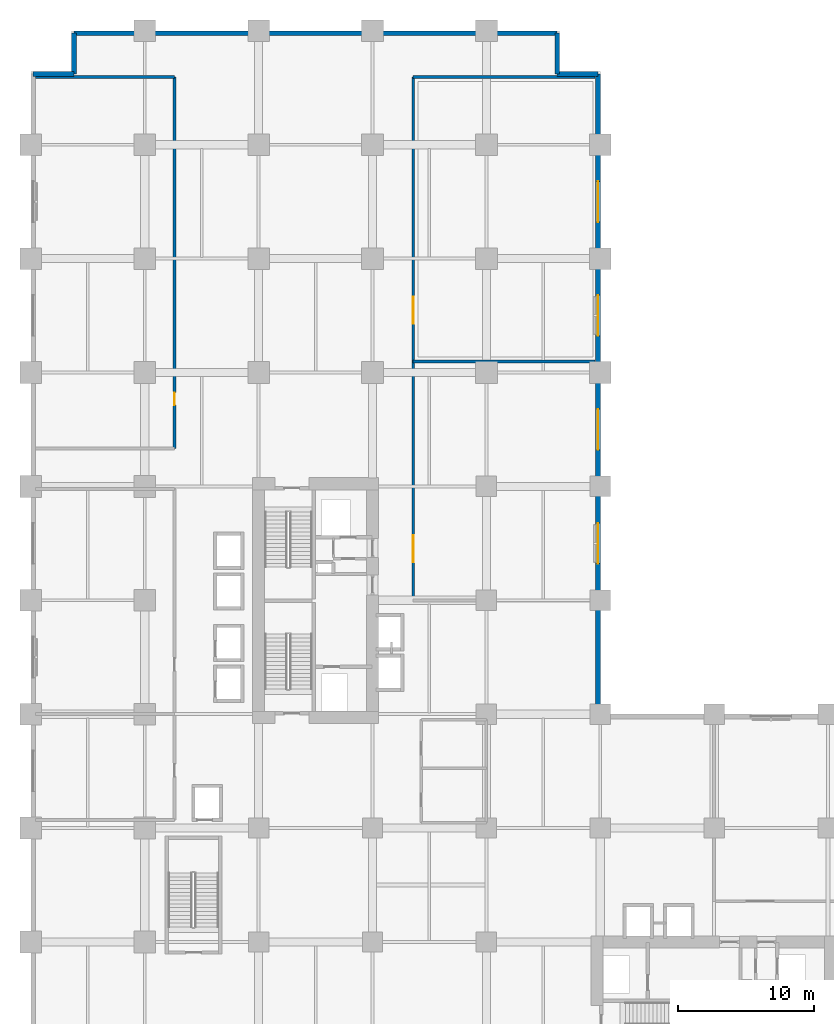
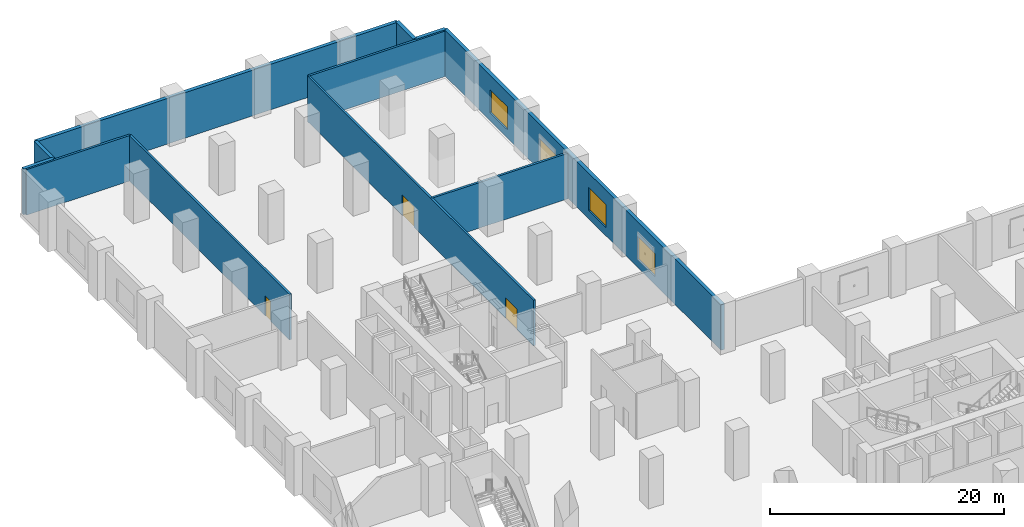
# One storey, part 14 of 23: 11 walls, 4 windows, 3 doors, 7 openings.
"""IFC4 building model written with IfcOpenShell, lengths in metres."""

from ifc_helpers import new_model, si_unit, direction, frame, frame_2d, origin, place, context, subcontext, project, spatial, rectangle, extrude, material, layer, layer_set, type_object, element, fill, save


model = new_model("IFC4")

# Units and contexts
model_context = context("Model", 3, precision=1e-05, world=origin(), true_north=direction((0.0, 1.0)))
body_context = subcontext(model_context, "Body", "Model", "MODEL_VIEW")
ifc_project = project(units=[si_unit("LENGTHUNIT", "METRE"), si_unit("AREAUNIT", "SQUARE_METRE"), si_unit("VOLUMEUNIT", "CUBIC_METRE"), si_unit("PLANEANGLEUNIT", "RADIAN"), si_unit("MASSUNIT", "GRAM", prefix="KILO")], contexts=[model_context])

# Site, building, storey
site_placement = place(None, origin())
site = spatial("IfcSite", under=ifc_project, at=site_placement, CompositionType="ELEMENT")
building_placement = place(site_placement, origin())
building = spatial("IfcBuilding", under=site, at=building_placement, Name="Koriwani Terraces Tower", CompositionType="ELEMENT")
storey_placement = place(building_placement, frame((0.0, 0.0, 20.800048828125)))
storey = spatial("IfcBuildingStorey", under=building, at=storey_placement, Name="L04", CompositionType="ELEMENT", Elevation=20.800048828125)

# Wall, opening, door
ifc_material_1 = material(Name="Autoclaved Cellular Concrete Blockwork", Category="masonry")
ifc_layer_1 = layer(ifc_material_1, 0.199951171875, Name="Autoclaved Cellular Concrete Blockwork")
ifc_layer_set_1 = layer_set([ifc_layer_1], Name="Autoclaved Cellular Concrete Blockwork")
wall_type_1 = type_object("IfcWallType", Name="WALL_CORRIDOR_200", PredefinedType="PARTITIONING", material=ifc_layer_set_1)
wall_1_placement = place(storey_placement, frame((10.60009765625, 61.60009765625, 0.0), z_axis=(0.0, 0.0, 1.0), x_axis=(0.0, 1.0, 0.0)))
wall_1 = element("IfcWall", 1, at=wall_1_placement, inside=storey, type_object=wall_type_1, Name="L04 Interior Wall WL04-W-2", PredefinedType="PARTITIONING", context=body_context, shape_type="SweptSolid", body=[
    extrude(rectangle(XDim=27.39990234375, YDim=0.199951171875, at=frame_2d((13.699951171875, 0.0))), origin(), (0.0, 0.0, 1.0), 4.75),
])
opening_1_placement = place(wall_1_placement, frame((3.199951171875, 0.0, 0.0)))
opening_1 = element("IfcOpeningElement", 2, at=opening_1_placement, cuts=wall_1, Name="Opening D-06", PredefinedType="OPENING", context=body_context, shape_type="SweptSolid", body=[
    extrude(rectangle(XDim=0.919921875, YDim=2.10009765625, at=frame_2d((0.4599609375, 1.050048828125))), frame((0.0, 0.10986328125, 0.0), z_axis=(0.0, -1.0, 0.0), x_axis=(1.0, 0.0, 0.0)), (0.0, 0.0, 1.0), 0.219970703125),
])
ifc_material_2 = material(Name="Architectural Oak Fire Door", Category="wood")
door_type_1 = type_object("IfcDoorType", Name="DOOR_ROOM_INT_920X2100", OperationType="NOTDEFINED", PredefinedType="DOOR", material=ifc_material_2)
door_1_placement = place(opening_1_placement, origin())
door_1 = element("IfcDoor", 3, at=door_1_placement, inside=storey, type_object=door_type_1, Name="L04 Event Breakout Seminar Room Door", OperationType="SINGLE_SWING_RIGHT", OverallHeight=2.10009765625, OverallWidth=0.919921875, PredefinedType="DOOR", context=body_context, shape_type="SweptSolid", body=[
    extrude(rectangle(XDim=0.919921875, YDim=2.10009765625, at=frame_2d((0.4599609375, 1.050048828125))), frame((0.0, 0.02490234375, 0.0), z_axis=(0.0, -1.0, 0.0), x_axis=(1.0, 0.0, 0.0)), (0.0, 0.0, 1.0), 0.050048828125),
])
fill(opening_1, door_1)

# Wall, openings, doors
wall_2_placement = place(storey_placement, frame((28.199951171875, 50.39990234375, 0.0), z_axis=(0.0, 0.0, 1.0), x_axis=(0.0, 1.0, 0.0)))
wall_2 = element("IfcWall", 4, at=wall_2_placement, inside=storey, type_object=wall_type_1, Name="L04 Interior Wall WPOD-INW-L04-0", PredefinedType="PARTITIONING", context=body_context, shape_type="SweptSolid", body=[
    extrude(rectangle(XDim=38.60009765625, YDim=0.199951171875, at=frame_2d((19.300048828125, 0.0))), origin(), (0.0, 0.0, 1.0), 4.75),
])
opening_2_placement = place(wall_2_placement, frame((2.800048828125, 0.0, 0.0)))
opening_2 = element("IfcOpeningElement", 5, at=opening_2_placement, cuts=wall_2, Name="Opening D-02", PredefinedType="OPENING", context=body_context, shape_type="SweptSolid", body=[
    extrude(rectangle(XDim=2.0, YDim=2.14990234375, at=frame_2d((1.0, 1.074951171875))), frame((0.0, 0.10986328125, 0.0), z_axis=(0.0, -1.0, 0.0), x_axis=(1.0, 0.0, 0.0)), (0.0, 0.0, 1.0), 0.219970703125),
])
opening_3_placement = place(wall_2_placement, frame((20.39990234375, 0.0, 0.0)))
opening_3 = element("IfcOpeningElement", 6, at=opening_3_placement, cuts=wall_2, Name="Opening D-02", PredefinedType="OPENING", context=body_context, shape_type="SweptSolid", body=[
    extrude(rectangle(XDim=2.0, YDim=2.14990234375, at=frame_2d((1.0, 1.074951171875))), frame((0.0, 0.10986328125, 0.0), z_axis=(0.0, -1.0, 0.0), x_axis=(1.0, 0.0, 0.0)), (0.0, 0.0, 1.0), 0.219970703125),
])
ifc_material_3 = material(Name="Anodised Bronze Aluminium", Category="aluminium")
door_type_2 = type_object("IfcDoorType", Name="DOOR_ENTRANCE_DOUBLE_2000X2400", OperationType="NOTDEFINED", PredefinedType="DOOR", material=ifc_material_3)
door_2_placement = place(opening_2_placement, origin())
door_2 = element("IfcDoor", 7, at=door_2_placement, inside=storey, type_object=door_type_2, Name="L04 North Galleria Salon 1 Door", OperationType="SINGLE_SWING_LEFT", OverallHeight=2.14990234375, OverallWidth=2.0, PredefinedType="DOOR", context=body_context, shape_type="SweptSolid", body=[
    extrude(rectangle(XDim=2.0, YDim=2.14990234375, at=frame_2d((1.0, 1.074951171875))), frame((0.0, 0.02490234375, 0.0), z_axis=(0.0, -1.0, 0.0), x_axis=(1.0, 0.0, 0.0)), (0.0, 0.0, 1.0), 0.050048828125),
])
fill(opening_2, door_2)
door_3_placement = place(opening_3_placement, origin())
door_3 = element("IfcDoor", 8, at=door_3_placement, inside=storey, type_object=door_type_2, Name="L04 North Galleria Salon 2 Door", OperationType="SINGLE_SWING_RIGHT", OverallHeight=2.14990234375, OverallWidth=2.0, PredefinedType="DOOR", context=body_context, shape_type="SweptSolid", body=[
    extrude(rectangle(XDim=2.0, YDim=2.14990234375, at=frame_2d((1.0, 1.074951171875))), frame((0.0, 0.02490234375, 0.0), z_axis=(0.0, -1.0, 0.0), x_axis=(1.0, 0.0, 0.0)), (0.0, 0.0, 1.0), 0.050048828125),
])
fill(opening_3, door_3)

# Walls
ifc_layer_2 = layer(ifc_material_1, 0.219970703125, Name="Autoclaved Cellular Concrete Blockwork")
ifc_layer_set_2 = layer_set([ifc_layer_2], Name="Autoclaved Cellular Concrete Blockwork")
wall_type_2 = type_object("IfcWallType", Name="WALL_DEMISING_220", PredefinedType="PARTITIONING", material=ifc_layer_set_2)
wall_3_placement = place(storey_placement, frame((0.35009765625, 89.0, 0.0), z_axis=(0.0, 0.0, 1.0), x_axis=(1.0, 0.0, 0.0)))
element("IfcWall", 9, at=wall_3_placement, inside=storey, type_object=wall_type_2, Name="L04 Interior Wall WL04-WN-2", PredefinedType="PARTITIONING", context=body_context, shape_type="SweptSolid", body=[
    extrude(rectangle(XDim=10.25, YDim=0.219970703125, at=frame_2d((5.125, 0.0))), origin(), (0.0, 0.0, 1.0), 4.75),
])
for number, where, z_axis, x_axis, name in (
    (10, (28.199951171875, 68.0, 0.0), (0.0, 0.0, 1.0), (1.0, 0.0, 0.0), "L04 Interior Wall WPOD-INWD-L04-1"),
    (11, (28.199951171875, 89.0, 0.0), (0.0, 0.0, 1.0), (1.0, 0.0, 0.0), "L04 Interior Wall WPOD-INWDE-L04"),
):
    element("IfcWall", number, at=place(storey_placement, frame(where, z_axis=z_axis, x_axis=x_axis)), inside=storey, type_object=wall_type_2, Name=name, PredefinedType="PARTITIONING", context=body_context, shape_type="SweptSolid", body=[
        extrude(rectangle(XDim=13.400146484375, YDim=0.219970703125, at=frame_2d((6.7001953125, 0.0))), origin(), (0.0, 0.0, 1.0), 4.75),
    ])
ifc_material_4 = material(Name="Concrete C50/60", Category="concrete")
ifc_layer_3 = layer(ifc_material_4, 0.35009765625, Name="Concrete C50/60")
ifc_layer_set_3 = layer_set([ifc_layer_3], Name="Concrete C50/60")
wall_type_3 = type_object("IfcWallType", Name="WALL_EXT_BRUTALIST_350", PredefinedType="STANDARD", material=ifc_layer_set_3)
for number, where, z_axis, x_axis, name in (
    (12, (0.175048828125, 89.22509765625, 0.0), (0.0, 0.0, 1.0), (1.0, 0.0, 0.0), "L04 Fair-Faced Brutalist Exterior Wall (N3)"),
    (13, (3.175048828125, 89.22509765625, 0.0), (0.0, 0.0, 1.0), (0.0, 1.0, 0.0), "L04 Fair-Faced Brutalist Exterior Wall (N4)"),
):
    element("IfcWall", number, at=place(storey_placement, frame(where, z_axis=z_axis, x_axis=x_axis)), inside=storey, type_object=wall_type_3, Name=name, PredefinedType="STANDARD", context=body_context, shape_type="SweptSolid", body=[
        extrude(rectangle(XDim=3.0, YDim=0.35009765625, at=frame_2d((1.5, 0.0))), origin(), (0.0, 0.0, 1.0), 4.75),
    ])
wall_4_placement = place(storey_placement, frame((3.175048828125, 92.22509765625, 0.0), z_axis=(0.0, 0.0, 1.0), x_axis=(1.0, 0.0, 0.0)))
element("IfcWall", 14, at=wall_4_placement, inside=storey, type_object=wall_type_3, Name="L04 Fair-Faced Brutalist Exterior Wall (N_TIP)", PredefinedType="STANDARD", context=body_context, shape_type="SweptSolid", body=[
    extrude(rectangle(XDim=35.64990234375, YDim=0.35009765625, at=frame_2d((17.824951171875, 0.0))), origin(), (0.0, 0.0, 1.0), 4.75),
])
for number, where, z_axis, x_axis, name in (
    (15, (38.824951171875, 92.22509765625, 0.0), (0.0, 0.0, 1.0), (0.0, -1.0, 0.0), "L04 Fair-Faced Brutalist Exterior Wall (N6)"),
    (16, (38.824951171875, 89.22509765625, 0.0), (0.0, 0.0, 1.0), (1.0, 0.0, 0.0), "L04 Fair-Faced Brutalist Exterior Wall (N7)"),
):
    element("IfcWall", number, at=place(storey_placement, frame(where, z_axis=z_axis, x_axis=x_axis)), inside=storey, type_object=wall_type_3, Name=name, PredefinedType="STANDARD", context=body_context, shape_type="SweptSolid", body=[
        extrude(rectangle(XDim=3.0, YDim=0.35009765625, at=frame_2d((1.5, 0.0))), origin(), (0.0, 0.0, 1.0), 4.75),
    ])

# Wall, openings, windows
wall_5_placement = place(storey_placement, frame((41.824951171875, 89.22509765625, 0.0), z_axis=(0.0, 0.0, 1.0), x_axis=(0.0, -1.0, 0.0)))
wall_5 = element("IfcWall", 17, at=wall_5_placement, inside=storey, type_object=wall_type_3, Name="L04 Fair-Faced Brutalist Exterior Wall (NW_IN)", PredefinedType="STANDARD", context=body_context, shape_type="SweptSolid", body=[
    extrude(rectangle(XDim=47.400146484375, YDim=0.35009765625, at=frame_2d((23.7001953125, 0.0))), origin(), (0.0, 0.0, 1.0), 4.75),
])
opening_4_placement = place(wall_5_placement, frame((33.125, 0.0, 0.85009765625)))
opening_4 = element("IfcOpeningElement", 18, at=opening_4_placement, cuts=wall_5, Name="Opening W-06", PredefinedType="OPENING", context=body_context, shape_type="SweptSolid", body=[
    extrude(rectangle(XDim=3.0, YDim=2.39990234375, at=frame_2d((1.5, 1.199951171875))), frame((0.0, 0.18505859375, 0.0), z_axis=(0.0, -1.0, 0.0), x_axis=(1.0, 0.0, 0.0)), (0.0, 0.0, 1.0), 0.3701171875),
])
opening_5_placement = place(wall_5_placement, frame((24.72509765625, 0.0, 0.85009765625)))
opening_5 = element("IfcOpeningElement", 19, at=opening_5_placement, cuts=wall_5, Name="Opening W-06", PredefinedType="OPENING", context=body_context, shape_type="SweptSolid", body=[
    extrude(rectangle(XDim=3.0, YDim=2.39990234375, at=frame_2d((1.5, 1.199951171875))), frame((0.0, 0.18505859375, 0.0), z_axis=(0.0, -1.0, 0.0), x_axis=(1.0, 0.0, 0.0)), (0.0, 0.0, 1.0), 0.3701171875),
])
opening_6_placement = place(wall_5_placement, frame((16.324951171875, 0.0, 0.85009765625)))
opening_6 = element("IfcOpeningElement", 20, at=opening_6_placement, cuts=wall_5, Name="Opening W-06", PredefinedType="OPENING", context=body_context, shape_type="SweptSolid", body=[
    extrude(rectangle(XDim=3.0, YDim=2.39990234375, at=frame_2d((1.5, 1.199951171875))), frame((0.0, 0.18505859375, 0.0), z_axis=(0.0, -1.0, 0.0), x_axis=(1.0, 0.0, 0.0)), (0.0, 0.0, 1.0), 0.3701171875),
])
opening_7_placement = place(wall_5_placement, frame((7.925048828125, 0.0, 0.85009765625)))
opening_7 = element("IfcOpeningElement", 21, at=opening_7_placement, cuts=wall_5, Name="Opening W-06", PredefinedType="OPENING", context=body_context, shape_type="SweptSolid", body=[
    extrude(rectangle(XDim=3.0, YDim=2.39990234375, at=frame_2d((1.5, 1.199951171875))), frame((0.0, 0.18505859375, 0.0), z_axis=(0.0, -1.0, 0.0), x_axis=(1.0, 0.0, 0.0)), (0.0, 0.0, 1.0), 0.3701171875),
])
ifc_material_5 = material(Name="Tempered Laminated Low-E Glass", Category="glass")
window_type = type_object("IfcWindowType", Name="WIN_PODIUM_PUNCHED_3000X2400", PartitioningType="TRIPLE_PANEL_VERTICAL", PredefinedType="WINDOW", material=ifc_material_5)
window_1_placement = place(opening_4_placement, origin())
window_1 = element("IfcWindow", 22, at=window_1_placement, inside=storey, type_object=window_type, Name="L04 Exterior Window (NW_IN-5)", OverallHeight=2.39990234375, OverallWidth=3.0, PartitioningType="SINGLE_PANEL", PredefinedType="WINDOW", context=body_context, shape_type="SweptSolid", body=[
    extrude(rectangle(XDim=3.0, YDim=2.39990234375, at=frame_2d((1.5, 1.199951171875))), frame((0.0, 0.030029296875, 0.0), z_axis=(0.0, -1.0, 0.0), x_axis=(1.0, 0.0, 0.0)), (0.0, 0.0, 1.0), 0.06005859375),
])
fill(opening_4, window_1)
window_2_placement = place(opening_5_placement, origin())
window_2 = element("IfcWindow", 23, at=window_2_placement, inside=storey, type_object=window_type, Name="L04 Exterior Window (NW_IN-8)", OverallHeight=2.39990234375, OverallWidth=3.0, PartitioningType="SINGLE_PANEL", PredefinedType="WINDOW", context=body_context, shape_type="SweptSolid", body=[
    extrude(rectangle(XDim=3.0, YDim=2.39990234375, at=frame_2d((1.5, 1.199951171875))), frame((0.0, 0.030029296875, 0.0), z_axis=(0.0, -1.0, 0.0), x_axis=(1.0, 0.0, 0.0)), (0.0, 0.0, 1.0), 0.06005859375),
])
fill(opening_5, window_2)
window_3_placement = place(opening_6_placement, origin())
window_3 = element("IfcWindow", 24, at=window_3_placement, inside=storey, type_object=window_type, Name="L04 Exterior Window (NW_IN-11)", OverallHeight=2.39990234375, OverallWidth=3.0, PartitioningType="SINGLE_PANEL", PredefinedType="WINDOW", context=body_context, shape_type="SweptSolid", body=[
    extrude(rectangle(XDim=3.0, YDim=2.39990234375, at=frame_2d((1.5, 1.199951171875))), frame((0.0, 0.030029296875, 0.0), z_axis=(0.0, -1.0, 0.0), x_axis=(1.0, 0.0, 0.0)), (0.0, 0.0, 1.0), 0.06005859375),
])
fill(opening_6, window_3)
window_4_placement = place(opening_7_placement, origin())
window_4 = element("IfcWindow", 25, at=window_4_placement, inside=storey, type_object=window_type, Name="L04 Exterior Window (NW_IN-14)", OverallHeight=2.39990234375, OverallWidth=3.0, PartitioningType="SINGLE_PANEL", PredefinedType="WINDOW", context=body_context, shape_type="SweptSolid", body=[
    extrude(rectangle(XDim=3.0, YDim=2.39990234375, at=frame_2d((1.5, 1.199951171875))), frame((0.0, 0.030029296875, 0.0), z_axis=(0.0, -1.0, 0.0), x_axis=(1.0, 0.0, 0.0)), (0.0, 0.0, 1.0), 0.06005859375),
])
fill(opening_7, window_4)

save(model, "model.ifc")
